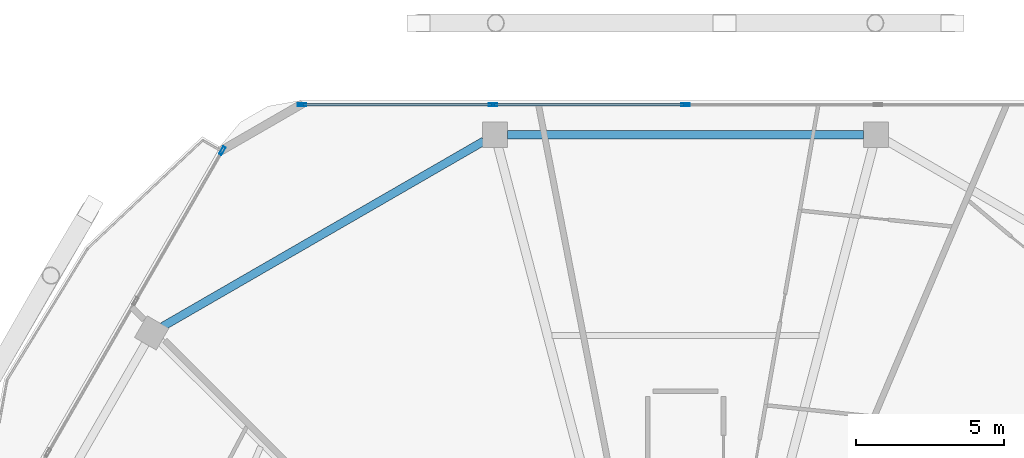
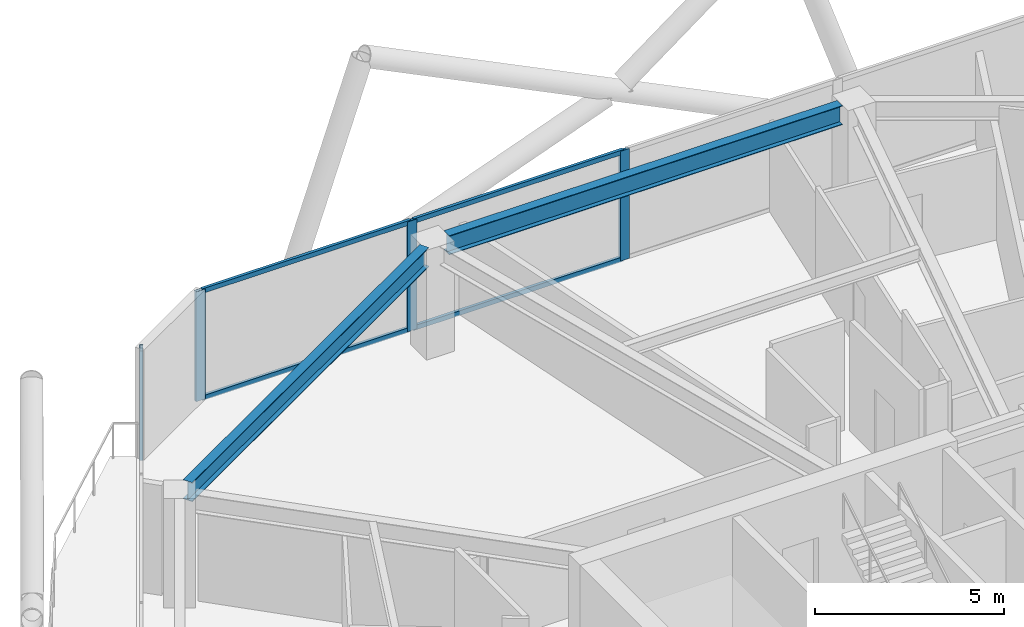
# One storey, part 15 of 29: 8 members, 2 beams, 2 elements without a shape of their own.
"""IFC4 building model written with IfcOpenShell, lengths in metres."""

import ifcopenshell
import ifcopenshell.guid

model = None  # the IFC model being written
_history = None  # IfcOwnerHistory: only IFC2X3 demands one
_inside = {}  # id of a spatial element -> (the spatial element, [elements in it])
_under = {}  # id of a project, library or spatial element -> (it, [spatial elements below it])
_declared = {}  # id of a project -> (the project, [libraries it declares])
_typed = {}  # id of a type object -> (the type object, [elements of that type])
_made_of = {}  # id of a material, layer set ... -> (it, [elements and type objects made of it])


def new_model(schema):
    """Start an empty IFC model of exactly this schema.

    Asked for "IFC4X3", IfcOpenShell would pick the latest addendum, in which some entities
    have other attributes; the version numbers below select the first issue.
    IFC2X3 requires an IfcOwnerHistory on every rooted entity: one is made here for all.
    """
    global model, _history
    if schema == "IFC4X3":
        model = ifcopenshell.file(schema_version=(4, 3, 0, 0))
    else:
        model = ifcopenshell.file(schema=schema)
    _inside.clear()
    _under.clear()
    _declared.clear()
    _typed.clear()
    _made_of.clear()
    _history = None
    if model.schema == "IFC2X3":
        org = make("IfcOrganization", Name="unknown")
        user = make(
            "IfcPersonAndOrganization",
            ThePerson=make("IfcPerson", FamilyName="unknown"),
            TheOrganization=org,
        )
        app = make(
            "IfcApplication",
            ApplicationDeveloper=org,
            Version="unknown",
            ApplicationFullName="unknown",
            ApplicationIdentifier="unknown",
        )
        _history = make(
            "IfcOwnerHistory",
            OwningUser=user,
            OwningApplication=app,
            ChangeAction="ADDED",
            CreationDate=0,
        )
    return model


def make(cls, **values):
    """One entity of the class cls with the attributes given. An attribute that is None is left unset."""
    return model.create_entity(
        cls, **{name: value for name, value in values.items() if value is not None}
    )


def rooted(cls, **values):
    """An entity with a GlobalId (a new one), such as an element, a storey or a relation."""
    return make(cls, GlobalId=ifcopenshell.guid.new(), OwnerHistory=_history, **values)


def si_unit(unit_type, name, prefix=None):
    """IfcSIUnit, for example si_unit("LENGTHUNIT", "METRE", prefix="MILLI")."""
    return make("IfcSIUnit", UnitType=unit_type, Prefix=prefix, Name=name)


def assignment(units):
    """IfcUnitAssignment: the units of a project."""
    return None if units is None else make("IfcUnitAssignment", Units=units)


def point(xyz):
    """IfcCartesianPoint."""
    return None if xyz is None else make("IfcCartesianPoint", Coordinates=xyz)


def direction(xyz):
    """IfcDirection."""
    return None if xyz is None else make("IfcDirection", DirectionRatios=xyz)


def frame(location, z_axis=None, x_axis=None):
    """IfcAxis2Placement3D, a coordinate frame: its origin and axes. An axis left out is left unset."""
    return make(
        "IfcAxis2Placement3D",
        Location=point(location),
        Axis=direction(z_axis),
        RefDirection=direction(x_axis),
    )


def frame_2d(location, x_axis=None):
    """IfcAxis2Placement2D, a coordinate frame in the plane: its origin and x axis."""
    return make(
        "IfcAxis2Placement2D", Location=point(location), RefDirection=direction(x_axis)
    )


def origin():
    """The frame at (0, 0, 0) with its axes left unset."""
    return frame((0.0, 0.0, 0.0))


def origin_2d():
    """The frame at (0, 0) in the plane with its x axis left unset."""
    return frame_2d((0.0, 0.0))


def place(relative_to, where):
    """IfcLocalPlacement: puts the frame where relative to a parent placement (None: the world)."""
    return make(
        "IfcLocalPlacement", PlacementRelTo=relative_to, RelativePlacement=where
    )


def context(
    kind, dimensions, precision=None, world=None, true_north=None, identifier=None
):
    """IfcGeometricRepresentationContext, for example the 3D "Model" context."""
    return make(
        "IfcGeometricRepresentationContext",
        ContextIdentifier=identifier,
        ContextType=kind,
        CoordinateSpaceDimension=dimensions,
        Precision=precision,
        WorldCoordinateSystem=world,
        TrueNorth=true_north,
    )


def subcontext(parent, identifier, kind, view, scale=None):
    """IfcGeometricRepresentationSubContext, for example "Body" below "Model"."""
    return make(
        "IfcGeometricRepresentationSubContext",
        ContextIdentifier=identifier,
        ContextType=kind,
        ParentContext=parent,
        TargetScale=scale,
        TargetView=view,
    )


def project(units=None, contexts=None):
    """IfcProject with its units and contexts."""
    return rooted(
        "IfcProject",
        Name="project",
        RepresentationContexts=contexts,
        UnitsInContext=assignment(units),
    )


def spatial(cls, under=None, at=None, **own):
    """A site, building, storey or space (cls), placed at a placement, below another one or the project."""
    s = rooted(cls, ObjectPlacement=at, **own)
    if under is not None:
        _under.setdefault(under.id(), (under, []))[1].append(s)
    return s


def profile(cls, at=None, kind="AREA", **sizes):
    """A parametric profile (cls). Its sizes go by their IFC names, for example OverallWidth=200.0."""
    return make(cls, ProfileType=kind, Position=at, **sizes)


def hollow_rectangle(**sizes):
    """IfcRectangleHollowProfileDef."""
    return profile("IfcRectangleHollowProfileDef", **sizes)


def i_section(**sizes):
    """IfcIShapeProfileDef."""
    return profile("IfcIShapeProfileDef", **sizes)


def extrude(swept, where, along, depth):
    """IfcExtrudedAreaSolid: the profile swept, set in the frame where, extruded along a direction by depth."""
    return make(
        "IfcExtrudedAreaSolid",
        SweptArea=swept,
        Position=where,
        ExtrudedDirection=direction(along),
        Depth=depth,
    )


def shape(context_of_items, identifier, shape_type, items):
    """IfcShapeRepresentation: the items that make up one representation, for example the "Body"."""
    return make(
        "IfcShapeRepresentation",
        ContextOfItems=context_of_items,
        RepresentationIdentifier=identifier,
        RepresentationType=shape_type,
        Items=items,
    )


def material(Name=None, Category=None):
    """IfcMaterial."""
    return make("IfcMaterial", Name=Name, Category=Category)


def material_profile(
    of_material, cross_section, Name=None, Category=None, Priority=None
):
    """IfcMaterialProfile: a cross section and its material."""
    return make(
        "IfcMaterialProfile",
        Name=Name,
        Material=of_material,
        Profile=cross_section,
        Priority=Priority,
        Category=Category,
    )


def profile_set(profiles, Name=None, composite=None):
    """IfcMaterialProfileSet."""
    return make(
        "IfcMaterialProfileSet",
        Name=Name,
        MaterialProfiles=profiles,
        CompositeProfile=composite,
    )


def made_of(thing, what):
    """Note that an element or type object is made of a material, layer set ...; save() writes the relation."""
    if what is not None:
        _made_of.setdefault(what.id(), (what, []))[1].append(thing)
    return thing


def type_object(cls, material=None, **own):
    """A type object (cls), such as IfcWallType, which elements share."""
    return made_of(rooted(cls, **own), material)


def element(
    cls,
    number,
    at=None,
    inside=None,
    cuts=None,
    type_object=None,
    material=None,
    context=None,
    identifier="Body",
    shape_type=None,
    held_by="IfcProductDefinitionShape",
    body=None,
    shapes=None,
    **own,
):
    """One element of the class cls, such as IfcWall. Its Tag is "e" and its number.

    at: its placement. inside: the storey or other place that contains it. cuts: it is an
    opening in that element (IfcRelVoidsElement). A single representation is given by context,
    identifier, shape_type and body (its items); several are given by shapes. held_by: the class
    of the entity that holds the representations. save() writes the other relations.
    """
    e = rooted(cls, Tag="e%d" % number, ObjectPlacement=at, **own)
    if body is not None:
        shapes = [shape(context, identifier, shape_type, body)]
    if shapes is not None:
        e.Representation = make(held_by, Representations=shapes)
    if inside is not None:
        _inside.setdefault(inside.id(), (inside, []))[1].append(e)
    if cuts is not None:
        rooted(
            "IfcRelVoidsElement", RelatingBuildingElement=cuts, RelatedOpeningElement=e
        )
    if type_object is not None:
        _typed.setdefault(type_object.id(), (type_object, []))[1].append(e)
    return made_of(e, material)


def aggregate(whole, parts):
    """IfcRelAggregates: a whole, such as a stair, and the parts it consists of."""
    return rooted("IfcRelAggregates", RelatingObject=whole, RelatedObjects=parts)


def save(model, path):
    """Write the relations noted so far, then the file.

    IfcRelAggregates (storeys below a building ...), IfcRelContainedInSpatialStructure (elements
    in a storey), IfcRelDefinesByType, IfcRelAssociatesMaterial and IfcRelDeclares: one each for
    every whole, place, type object, material and project.
    """
    for whole, parts in _under.values():
        aggregate(whole, parts)
    for where, things in _inside.values():
        rooted(
            "IfcRelContainedInSpatialStructure",
            RelatedElements=things,
            RelatingStructure=where,
        )
    for kind, things in _typed.values():
        rooted("IfcRelDefinesByType", RelatedObjects=things, RelatingType=kind)
    for what, things in _made_of.values():
        rooted("IfcRelAssociatesMaterial", RelatedObjects=things, RelatingMaterial=what)
    for by, libraries in _declared.values():
        rooted("IfcRelDeclares", RelatingContext=by, RelatedDefinitions=libraries)
    model.write(path)


model = new_model("IFC4")

# Units and contexts
model_context = context("Model", 3, precision=1e-05, world=origin(), true_north=direction((0.0, 1.0)))
body_context = subcontext(model_context, "Body", "Model", "MODEL_VIEW")
ifc_project = project(units=[si_unit("LENGTHUNIT", "METRE"), si_unit("AREAUNIT", "SQUARE_METRE"), si_unit("VOLUMEUNIT", "CUBIC_METRE"), si_unit("PLANEANGLEUNIT", "RADIAN"), si_unit("MASSUNIT", "GRAM", prefix="KILO")], contexts=[model_context])

# Site, building, storey
site_placement = place(None, origin())
site = spatial("IfcSite", under=ifc_project, at=site_placement, CompositionType="ELEMENT")
building_placement = place(site_placement, origin())
building = spatial("IfcBuilding", under=site, at=building_placement, Name="Zuhravey Tower", CompositionType="ELEMENT")
storey_placement = place(building_placement, frame((0.0, 0.0, 292.0)))
storey = spatial("IfcBuildingStorey", under=building, at=storey_placement, Name="L74", CompositionType="ELEMENT", Elevation=292.0)

# Curtain wall, member
ifc_material_1 = material(Name="Thermally broken anodised aluminium", Category="aluminium")
curtain_wall_type = type_object("IfcCurtainWallType", Name="Zone 3-4 High-Rise Curtain Wall CW4", PredefinedType="NOTDEFINED", material=ifc_material_1)
curtain_wall_1_placement = place(storey_placement, origin())
curtain_wall_1 = element("IfcCurtainWall", 1, at=curtain_wall_1_placement, inside=storey, type_object=curtain_wall_type, Name="L74 CW4 CW-L74-F3-1", PredefinedType="NOTDEFINED")
ifc_material_2 = material(Name="Anodised aluminium", Category="aluminium")
ifc_material_profile_1 = material_profile(ifc_material_2, hollow_rectangle(XDim=0.090087890625, YDim=0.284912109375, WallThickness=0.0048828125, at=origin_2d()), Name="ALU-RHS-90x285x5")
ifc_profile_set_1 = profile_set([ifc_material_profile_1], Name="Anodised aluminium")
member_type_1 = type_object("IfcMemberType", Name="Curtain-Wall Mullion 90x180", PredefinedType="MULLION", material=ifc_profile_set_1)
member_1_placement = place(storey_placement, frame((20.34521484375, 56.01220703125, 0.0), z_axis=(0.0, 0.0, 1.0), x_axis=(-0.866024971571, 0.500000748615, 0.0)))
member_1 = element("IfcMember", 2, at=member_1_placement, type_object=member_type_1, Name="CW4 mullion 5", PredefinedType="MULLION", context=body_context, shape_type="SweptSolid", body=[
    extrude(hollow_rectangle(XDim=0.090087890625, YDim=0.284912109375, WallThickness=0.0048828125, at=origin_2d()), origin(), (0.0, 0.0, 1.0), 3.550048828125),
])
aggregate(curtain_wall_1, [member_1])

# Curtain wall, members
curtain_wall_2_placement = place(storey_placement, origin())
curtain_wall_2 = element("IfcCurtainWall", 3, at=curtain_wall_2_placement, inside=storey, type_object=curtain_wall_type, Name="L74 CW4 CW-L74-F2-1", PredefinedType="NOTDEFINED")
member_2_placement = place(storey_placement, frame((23.0322265625, 57.563720703125, 0.0), z_axis=(0.0, 0.0, 1.0), x_axis=(0.0, 1.0, 0.0)))
member_2 = element("IfcMember", 4, at=member_2_placement, type_object=member_type_1, Name="CW4 mullion 1", PredefinedType="MULLION", context=body_context, shape_type="SweptSolid", body=[
    extrude(hollow_rectangle(XDim=0.090087890625, YDim=0.284912109375, WallThickness=0.0048828125, at=origin_2d()), origin(), (0.0, 0.0, 1.0), 3.550048828125),
])
member_3_placement = place(storey_placement, frame((29.49365234375, 57.563720703125, 0.0), z_axis=(0.0, 0.0, 1.0), x_axis=(0.0, 1.0, 0.0)))
member_3 = element("IfcMember", 5, at=member_3_placement, type_object=member_type_1, Name="CW4 mullion 2", PredefinedType="MULLION", context=body_context, shape_type="SweptSolid", body=[
    extrude(hollow_rectangle(XDim=0.090087890625, YDim=0.284912109375, WallThickness=0.0048828125, at=origin_2d()), origin(), (0.0, 0.0, 1.0), 3.550048828125),
])
member_4_placement = place(storey_placement, frame((36.0, 57.563720703125, 0.0), z_axis=(0.0, 0.0, 1.0), x_axis=(0.0, 1.0, 0.0)))
member_4 = element("IfcMember", 6, at=member_4_placement, type_object=member_type_1, Name="CW4 mullion 3", PredefinedType="MULLION", context=body_context, shape_type="SweptSolid", body=[
    extrude(hollow_rectangle(XDim=0.090087890625, YDim=0.284912109375, WallThickness=0.0048828125, at=origin_2d()), origin(), (0.0, 0.0, 1.0), 3.550048828125),
])
ifc_material_profile_2 = material_profile(ifc_material_2, hollow_rectangle(XDim=0.090087890625, YDim=0.14990234375, WallThickness=0.0048828125, at=origin_2d()), Name="ALU-RHS-90x150x5")
ifc_profile_set_2 = profile_set([ifc_material_profile_2], Name="Anodised aluminium")
member_type_2 = type_object("IfcMemberType", Name="Curtain-Wall Transom 90x150", PredefinedType="USERDEFINED", material=ifc_profile_set_2)
member_5_placement = place(storey_placement, frame((23.077392578125, 57.563720703125, 0.044921875), z_axis=(1.0, 0.0, 0.0), x_axis=(0.0, 1.0, 0.0)))
member_5 = element("IfcMember", 7, at=member_5_placement, type_object=member_type_2, Name="CW4 transom 1.1", ObjectType="TRANSOM", PredefinedType="USERDEFINED", context=body_context, shape_type="SweptSolid", body=[
    extrude(hollow_rectangle(XDim=0.090087890625, YDim=0.14990234375, WallThickness=0.0048828125, at=origin_2d()), origin(), (0.0, 0.0, 1.0), 6.371337890625),
])
member_6_placement = place(storey_placement, frame((23.077392578125, 57.563720703125, 3.5048828125), z_axis=(1.0, 0.0, 0.0), x_axis=(0.0, 1.0, 0.0)))
member_6 = element("IfcMember", 8, at=member_6_placement, type_object=member_type_2, Name="CW4 transom 1.2", ObjectType="TRANSOM", PredefinedType="USERDEFINED", context=body_context, shape_type="SweptSolid", body=[
    extrude(hollow_rectangle(XDim=0.090087890625, YDim=0.14990234375, WallThickness=0.0048828125, at=origin_2d()), origin(), (0.0, 0.0, 1.0), 6.371337890625),
])
member_7_placement = place(storey_placement, frame((29.53857421875, 57.563720703125, 0.044921875), z_axis=(1.0, 0.0, 0.0), x_axis=(0.0, 1.0, 0.0)))
member_7 = element("IfcMember", 9, at=member_7_placement, type_object=member_type_2, Name="CW4 transom 2.1", ObjectType="TRANSOM", PredefinedType="USERDEFINED", context=body_context, shape_type="SweptSolid", body=[
    extrude(hollow_rectangle(XDim=0.090087890625, YDim=0.14990234375, WallThickness=0.0048828125, at=origin_2d()), origin(), (0.0, 0.0, 1.0), 6.41650390625),
])
member_8_placement = place(storey_placement, frame((29.53857421875, 57.563720703125, 3.5048828125), z_axis=(1.0, 0.0, 0.0), x_axis=(0.0, 1.0, 0.0)))
member_8 = element("IfcMember", 10, at=member_8_placement, type_object=member_type_2, Name="CW4 transom 2.2", ObjectType="TRANSOM", PredefinedType="USERDEFINED", context=body_context, shape_type="SweptSolid", body=[
    extrude(hollow_rectangle(XDim=0.090087890625, YDim=0.14990234375, WallThickness=0.0048828125, at=origin_2d()), origin(), (0.0, 0.0, 1.0), 6.41650390625),
])
aggregate(curtain_wall_2, [member_2, member_3, member_4, member_5, member_6, member_7, member_8])

# Beams
ifc_material_3 = material(Name="Steel SM355", Category="steel")
ifc_material_profile_3 = material_profile(ifc_material_3, i_section(OverallWidth=0.280029296875, OverallDepth=0.6201171875, WebThickness=0.011962890625, FlangeThickness=0.02001953125, at=origin_2d()), Name="H-620x280x12x20")
ifc_profile_set_3 = profile_set([ifc_material_profile_3], Name="Steel SM355")
beam_type = type_object("IfcBeamType", Name="Perimeter Ring Beam H620x280", PredefinedType="BEAM", material=ifc_profile_set_3)
beam_1_placement = place(storey_placement, frame((42.012939453125, 56.5537109375, 3.239990234375), z_axis=(-1.0, 0.0, 0.0), x_axis=(0.0, -1.0, 0.0)))
element("IfcBeam", 11, at=beam_1_placement, inside=storey, type_object=beam_type, Name="L74 PB3 BM-L74-PB-03", PredefinedType="BEAM", context=body_context, shape_type="SweptSolid", body=[
    extrude(i_section(OverallWidth=0.280029296875, OverallDepth=0.6201171875, WebThickness=0.011962890625, FlangeThickness=0.02001953125, at=origin_2d()), origin(), (0.0, 0.0, 1.0), 12.02587890625),
])
beam_2_placement = place(storey_placement, frame((29.1884765625, 56.339599609375, 3.239990234375), z_axis=(-0.866018312875, -0.500012281615, 0.0), x_axis=(0.500012281615, -0.866018312875, 0.0)))
element("IfcBeam", 12, at=beam_2_placement, inside=storey, type_object=beam_type, Name="L74 PB3 BM-L74-PB-04", PredefinedType="BEAM", context=body_context, shape_type="SweptSolid", body=[
    extrude(i_section(OverallWidth=0.280029296875, OverallDepth=0.6201171875, WebThickness=0.011962890625, FlangeThickness=0.02001953125, at=origin_2d()), origin(), (0.0, 0.0, 1.0), 12.541748046875),
])

save(model, "model.ifc")
